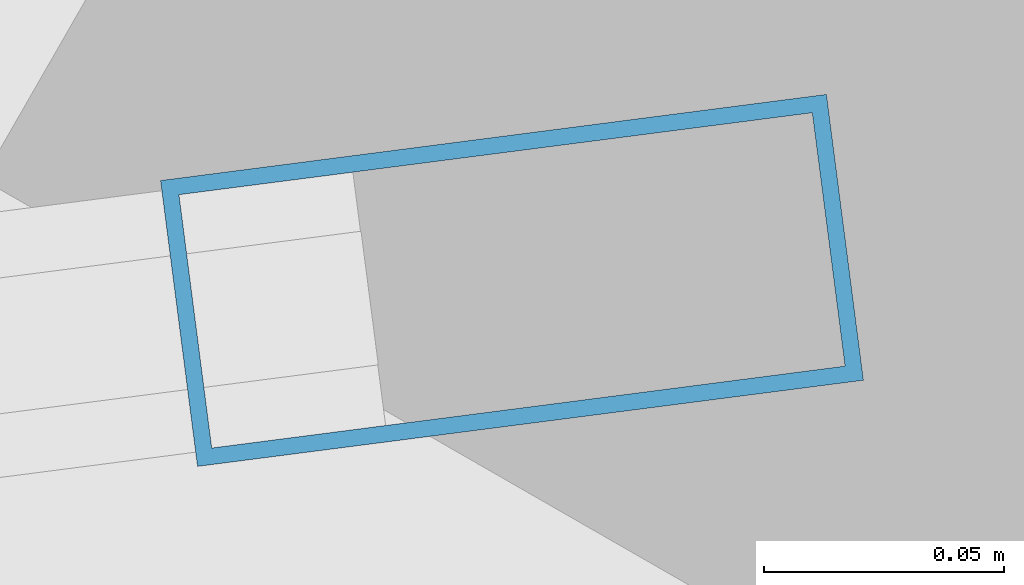
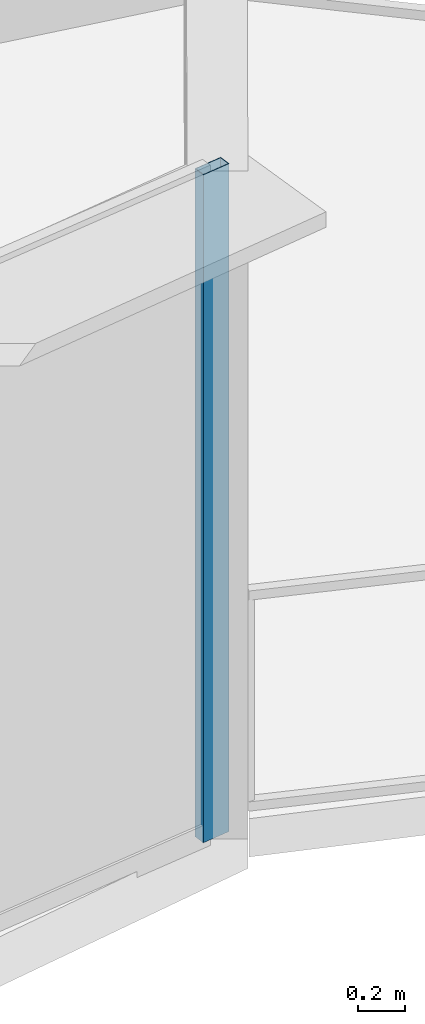
# One storey, part 14 of 33: 1 member, 1 element without a shape of its own.
"""IFC4 building model written with IfcOpenShell, lengths in metres."""

from ifc_helpers import new_model, si_unit, direction, frame, origin, origin_2d, place, context, subcontext, project, spatial, hollow_rectangle, extrude, source, transform, mapped, material, layer, layer_set, material_profile, profile_set, type_object, element, aggregate, save


model = new_model("IFC4")

# Units and contexts
model_context = context("Model", 3, precision=1e-05, world=origin(), true_north=direction((0.0, 1.0)))
body_context = subcontext(model_context, "Body", "Model", "MODEL_VIEW")
ifc_project = project(units=[si_unit("LENGTHUNIT", "METRE"), si_unit("AREAUNIT", "SQUARE_METRE"), si_unit("VOLUMEUNIT", "CUBIC_METRE"), si_unit("PLANEANGLEUNIT", "RADIAN"), si_unit("MASSUNIT", "GRAM", prefix="KILO"), si_unit("THERMODYNAMICTEMPERATUREUNIT", "KELVIN"), si_unit("POWERUNIT", "WATT")], contexts=[model_context])

# Site, building, storey
site_placement = place(None, origin())
site = spatial("IfcSite", under=ifc_project, at=site_placement, CompositionType="ELEMENT")
building_placement = place(site_placement, origin())
building = spatial("IfcBuilding", under=site, at=building_placement, Name="Yunzhuo Pagoda Commons", CompositionType="ELEMENT")
storey_placement = place(building_placement, frame((0.0, 0.0, 325.510009765625)))
storey = spatial("IfcBuildingStorey", under=building, at=storey_placement, Name="L81", CompositionType="ELEMENT", Elevation=325.510009765625)

# Curtain wall, member
ifc_material = material(Name="Anodized aluminium 6063-T6", Category="aluminium")
ifc_layer = layer(ifc_material, 0.139892578125)
ifc_layer_set = layer_set([ifc_layer], Name="Anodized aluminium 6063-T6")
curtain_wall_type = type_object("IfcCurtainWallType", Name="CW-HI High-Zone Ribbon Curtain Wall", PredefinedType="NOTDEFINED", material=ifc_layer_set)
curtain_wall_placement = place(storey_placement, origin())
curtain_wall = element("IfcCurtainWall", 1, at=curtain_wall_placement, inside=storey, type_object=curtain_wall_type, Name="L81 curtain wall CW-L81-F1B5", PredefinedType="NOTDEFINED")
ifc_material_profile = material_profile(ifc_material, hollow_rectangle(XDim=0.06005859375, YDim=0.139892578125, WallThickness=0.00341796875, at=origin_2d()), Name="Anodized aluminium 6063-T6")
ifc_profile_set = profile_set([ifc_material_profile], Name="Anodized aluminium 6063-T6")
member_type = type_object("IfcMemberType", Name="CW-HI-M Mullion RHS 140x60x3.5", PredefinedType="MULLION", material=ifc_profile_set)
shared_shape = source(origin(), body_context, "Body", "SweptSolid", [
    extrude(hollow_rectangle(XDim=0.06005859375, YDim=0.139892578125, WallThickness=0.00341796875, at=origin_2d()), origin(), (0.0, 0.0, 1.0), 3.489990234375),
])
member_placement = place(storey_placement, frame((73.7099609375, 23.134765625, 0.0), z_axis=(0.0, 0.0, 1.0), x_axis=(-0.128276018031, 0.991738505453, 0.0)))
member = element("IfcMember", 2, at=member_placement, type_object=member_type, Name="CW mullion 2", PredefinedType="MULLION", context=body_context, shape_type="MappedRepresentation", body=[
    mapped(shared_shape, transform((0.0, 0.0, 0.0), scale=1.0)),
])
aggregate(curtain_wall, [member])

save(model, "model.ifc")
